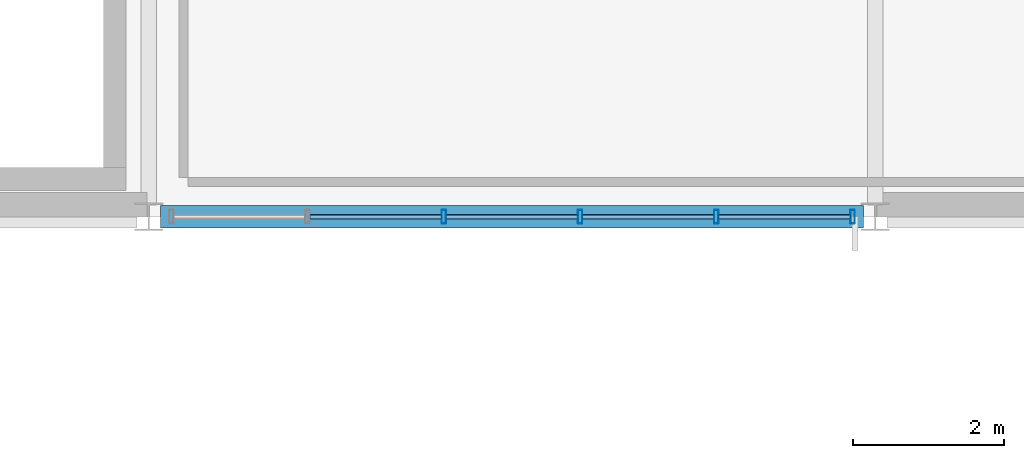
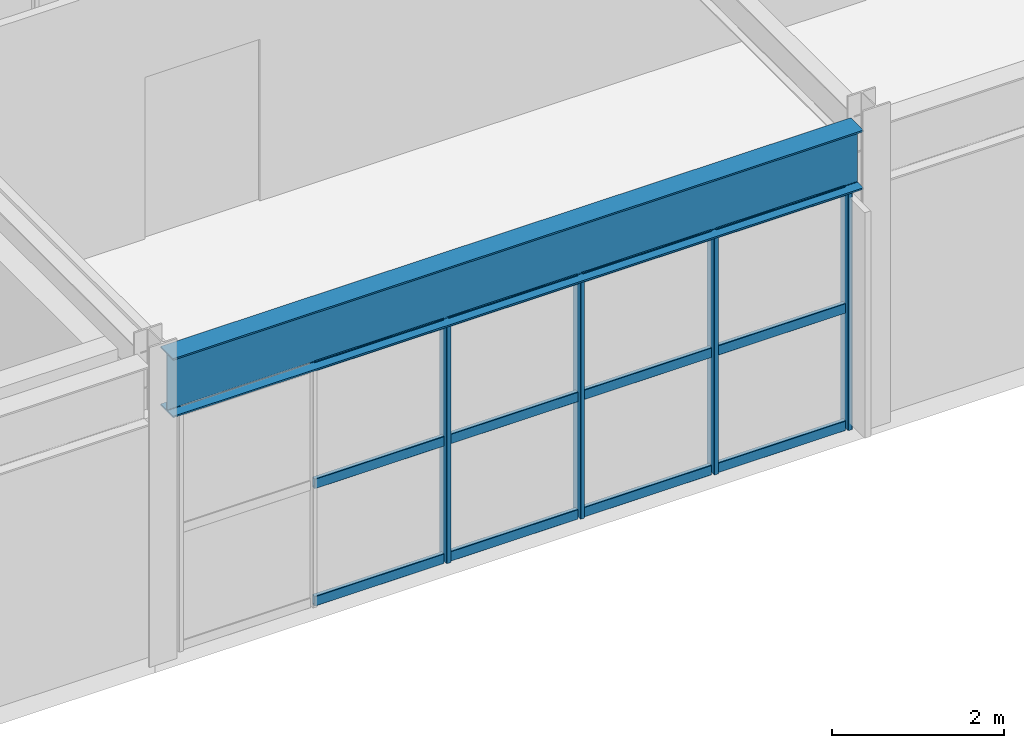
# One storey, part 74 of 170: 16 members, 1 beam, 1 element without a shape of its own.
"""IFC4 building model written with IfcOpenShell, lengths in metres."""

from ifc_helpers import new_model, si_unit, direction, frame, origin, origin_2d, place, context, subcontext, project, spatial, hollow_rectangle, i_section, extrude, material, material_profile, profile_set, type_object, element, aggregate, save


model = new_model("IFC4")

# Units and contexts
model_context = context("Model", 3, precision=1e-05, world=origin(), true_north=direction((0.0, 1.0)))
body_context = subcontext(model_context, "Body", "Model", "MODEL_VIEW")
ifc_project = project(units=[si_unit("LENGTHUNIT", "METRE"), si_unit("AREAUNIT", "SQUARE_METRE"), si_unit("VOLUMEUNIT", "CUBIC_METRE"), si_unit("PLANEANGLEUNIT", "RADIAN"), si_unit("MASSUNIT", "GRAM", prefix="KILO")], contexts=[model_context])

# Site, building, storey
site_placement = place(None, origin())
site = spatial("IfcSite", under=ifc_project, at=site_placement, CompositionType="ELEMENT")
building_placement = place(site_placement, origin())
building = spatial("IfcBuilding", under=site, at=building_placement, Name="Coralgate Yard Interchange", CompositionType="ELEMENT")
storey_placement = place(building_placement, frame((0.0, 0.0, 6.0)))
storey = spatial("IfcBuildingStorey", under=building, at=storey_placement, Name="L01", CompositionType="ELEMENT", Elevation=6.0)

# Beam
ifc_material_1 = material(Name="Structural steel S355J2", Category="steel")
ifc_material_profile_1 = material_profile(ifc_material_1, i_section(OverallWidth=0.29248046875, OverallDepth=0.8408203125, WebThickness=0.0146484375, FlangeThickness=0.021728515625, FilletRadius=0.017822265625, at=origin_2d()), Name="UB 838x292x194")
ifc_profile_set_1 = profile_set([ifc_material_profile_1], Name="Structural steel S355J2")
beam_type = type_object("IfcBeamType", Name="BM-SG-2", PredefinedType="BEAM", material=ifc_profile_set_1)
beam_placement = place(storey_placement, frame((96.15625, 38.39990234375, 3.82958984375), z_axis=(1.0, 0.0, 0.0), x_axis=(0.0, 1.0, 0.0)))
element("IfcBeam", 1, at=beam_placement, inside=storey, type_object=beam_type, Name="L01 primary grid beam Y4 X10-11", PredefinedType="BEAM", context=body_context, shape_type="SweptSolid", body=[
    extrude(i_section(OverallWidth=0.29248046875, OverallDepth=0.8408203125, WebThickness=0.0146484375, FlangeThickness=0.021728515625, FilletRadius=0.017822265625, at=origin_2d()), origin(), (0.0, 0.0, 1.0), 9.287353515625),
])

# Curtain wall, members
ifc_material_2 = material(Name="Anodised coastal aluminium and solar-control low-E glass", Category="aluminium")
curtain_wall_type = type_object("IfcCurtainWallType", Name="CW-CW-L01-A", PredefinedType="NOTDEFINED", material=ifc_material_2)
curtain_wall_placement = place(storey_placement, origin())
curtain_wall = element("IfcCurtainWall", 2, at=curtain_wall_placement, inside=storey, type_object=curtain_wall_type, Name="L01 unitised curtain wall CW-L01-S-10-04", PredefinedType="NOTDEFINED")
ifc_material_3 = material(Name="Anodised coastal aluminium 6063-T6", Category="aluminium")
ifc_material_profile_2 = material_profile(ifc_material_3, hollow_rectangle(XDim=0.06005859375, YDim=0.179931640625, WallThickness=0.00390625, InnerFilletRadius=0.00390625, OuterFilletRadius=0.008056640625, at=origin_2d()), Name="ALU 60x180x4")
ifc_profile_set_2 = profile_set([ifc_material_profile_2], Name="Anodised coastal aluminium 6063-T6")
member_type_1 = type_object("IfcMemberType", Name="MB-MUL-180", PredefinedType="MULLION", material=ifc_profile_set_2)
member_1_placement = place(storey_placement, frame((105.300048828125, 38.39990234375, 0.0), z_axis=(0.0, 0.0, 1.0), x_axis=(1.0, 0.0, 0.0)))
member_1 = element("IfcMember", 3, at=member_1_placement, type_object=member_type_1, Name="CW-L01-S-10-04 vertical mullion 1", PredefinedType="MULLION", context=body_context, shape_type="SweptSolid", body=[
    extrude(hollow_rectangle(XDim=0.06005859375, YDim=0.179931640625, WallThickness=0.00390625, InnerFilletRadius=0.00390625, OuterFilletRadius=0.008056640625, at=origin_2d()), origin(), (0.0, 0.0, 1.0), 3.4091796875),
])
member_2_placement = place(storey_placement, frame((103.5, 38.39990234375, 0.0), z_axis=(0.0, 0.0, 1.0), x_axis=(1.0, 0.0, 0.0)))
member_2 = element("IfcMember", 4, at=member_2_placement, type_object=member_type_1, Name="CW-L01-S-10-04 vertical mullion 2", PredefinedType="MULLION", context=body_context, shape_type="SweptSolid", body=[
    extrude(hollow_rectangle(XDim=0.06005859375, YDim=0.179931640625, WallThickness=0.00390625, InnerFilletRadius=0.00390625, OuterFilletRadius=0.008056640625, at=origin_2d()), origin(), (0.0, 0.0, 1.0), 3.4091796875),
])
member_3_placement = place(storey_placement, frame((101.699951171875, 38.39990234375, 0.0), z_axis=(0.0, 0.0, 1.0), x_axis=(1.0, 0.0, 0.0)))
member_3 = element("IfcMember", 5, at=member_3_placement, type_object=member_type_1, Name="CW-L01-S-10-04 vertical mullion 3", PredefinedType="MULLION", context=body_context, shape_type="SweptSolid", body=[
    extrude(hollow_rectangle(XDim=0.06005859375, YDim=0.179931640625, WallThickness=0.00390625, InnerFilletRadius=0.00390625, OuterFilletRadius=0.008056640625, at=origin_2d()), origin(), (0.0, 0.0, 1.0), 3.4091796875),
])
member_4_placement = place(storey_placement, frame((99.89990234375, 38.39990234375, 0.0), z_axis=(0.0, 0.0, 1.0), x_axis=(1.0, 0.0, 0.0)))
member_4 = element("IfcMember", 6, at=member_4_placement, type_object=member_type_1, Name="CW-L01-S-10-04 vertical mullion 4", PredefinedType="MULLION", context=body_context, shape_type="SweptSolid", body=[
    extrude(hollow_rectangle(XDim=0.06005859375, YDim=0.179931640625, WallThickness=0.00390625, InnerFilletRadius=0.00390625, OuterFilletRadius=0.008056640625, at=origin_2d()), origin(), (0.0, 0.0, 1.0), 3.4091796875),
])
ifc_material_profile_3 = material_profile(ifc_material_3, hollow_rectangle(XDim=0.06005859375, YDim=0.139892578125, WallThickness=0.00341796875, InnerFilletRadius=0.00341796875, OuterFilletRadius=0.007080078125, at=origin_2d()), Name="ALU 60x140x3.5")
ifc_profile_set_3 = profile_set([ifc_material_profile_3], Name="Anodised coastal aluminium 6063-T6")
member_type_2 = type_object("IfcMemberType", Name="MB-TRN-140", PredefinedType="USERDEFINED", material=ifc_profile_set_3)
member_5_placement = place(storey_placement, frame((105.27001953125, 38.39990234375, 0.034912109375), z_axis=(-1.0, 0.0, 0.0), x_axis=(0.0, -1.0, 0.0)))
member_5 = element("IfcMember", 7, at=member_5_placement, type_object=member_type_2, Name="CW-L01-S-10-04 horizontal transom 1-1", ObjectType="TRANSOM", PredefinedType="USERDEFINED", context=body_context, shape_type="SweptSolid", body=[
    extrude(hollow_rectangle(XDim=0.06005859375, YDim=0.139892578125, WallThickness=0.00341796875, InnerFilletRadius=0.00341796875, OuterFilletRadius=0.007080078125, at=origin_2d()), origin(), (0.0, 0.0, 1.0), 1.739990234375),
])
member_6_placement = place(storey_placement, frame((105.27001953125, 38.39990234375, 1.70458984375), z_axis=(-1.0, 0.0, 0.0), x_axis=(0.0, -1.0, 0.0)))
member_6 = element("IfcMember", 8, at=member_6_placement, type_object=member_type_2, Name="CW-L01-S-10-04 horizontal transom 1-2", ObjectType="TRANSOM", PredefinedType="USERDEFINED", context=body_context, shape_type="SweptSolid", body=[
    extrude(hollow_rectangle(XDim=0.06005859375, YDim=0.139892578125, WallThickness=0.00341796875, InnerFilletRadius=0.00341796875, OuterFilletRadius=0.007080078125, at=origin_2d()), origin(), (0.0, 0.0, 1.0), 1.739990234375),
])
member_7_placement = place(storey_placement, frame((105.27001953125, 38.39990234375, 3.374267578125), z_axis=(-1.0, 0.0, 0.0), x_axis=(0.0, -1.0, 0.0)))
member_7 = element("IfcMember", 9, at=member_7_placement, type_object=member_type_2, Name="CW-L01-S-10-04 horizontal transom 1-3", ObjectType="TRANSOM", PredefinedType="USERDEFINED", context=body_context, shape_type="SweptSolid", body=[
    extrude(hollow_rectangle(XDim=0.06005859375, YDim=0.139892578125, WallThickness=0.00341796875, InnerFilletRadius=0.00341796875, OuterFilletRadius=0.007080078125, at=origin_2d()), origin(), (0.0, 0.0, 1.0), 1.739990234375),
])
member_8_placement = place(storey_placement, frame((103.469970703125, 38.39990234375, 0.034912109375), z_axis=(-1.0, 0.0, 0.0), x_axis=(0.0, -1.0, 0.0)))
member_8 = element("IfcMember", 10, at=member_8_placement, type_object=member_type_2, Name="CW-L01-S-10-04 horizontal transom 2-1", ObjectType="TRANSOM", PredefinedType="USERDEFINED", context=body_context, shape_type="SweptSolid", body=[
    extrude(hollow_rectangle(XDim=0.06005859375, YDim=0.139892578125, WallThickness=0.00341796875, InnerFilletRadius=0.00341796875, OuterFilletRadius=0.007080078125, at=origin_2d()), origin(), (0.0, 0.0, 1.0), 1.739990234375),
])
member_9_placement = place(storey_placement, frame((103.469970703125, 38.39990234375, 1.70458984375), z_axis=(-1.0, 0.0, 0.0), x_axis=(0.0, -1.0, 0.0)))
member_9 = element("IfcMember", 11, at=member_9_placement, type_object=member_type_2, Name="CW-L01-S-10-04 horizontal transom 2-2", ObjectType="TRANSOM", PredefinedType="USERDEFINED", context=body_context, shape_type="SweptSolid", body=[
    extrude(hollow_rectangle(XDim=0.06005859375, YDim=0.139892578125, WallThickness=0.00341796875, InnerFilletRadius=0.00341796875, OuterFilletRadius=0.007080078125, at=origin_2d()), origin(), (0.0, 0.0, 1.0), 1.739990234375),
])
member_10_placement = place(storey_placement, frame((103.469970703125, 38.39990234375, 3.374267578125), z_axis=(-1.0, 0.0, 0.0), x_axis=(0.0, -1.0, 0.0)))
member_10 = element("IfcMember", 12, at=member_10_placement, type_object=member_type_2, Name="CW-L01-S-10-04 horizontal transom 2-3", ObjectType="TRANSOM", PredefinedType="USERDEFINED", context=body_context, shape_type="SweptSolid", body=[
    extrude(hollow_rectangle(XDim=0.06005859375, YDim=0.139892578125, WallThickness=0.00341796875, InnerFilletRadius=0.00341796875, OuterFilletRadius=0.007080078125, at=origin_2d()), origin(), (0.0, 0.0, 1.0), 1.739990234375),
])
member_11_placement = place(storey_placement, frame((101.669921875, 38.39990234375, 0.034912109375), z_axis=(-1.0, 0.0, 0.0), x_axis=(0.0, -1.0, 0.0)))
member_11 = element("IfcMember", 13, at=member_11_placement, type_object=member_type_2, Name="CW-L01-S-10-04 horizontal transom 3-1", ObjectType="TRANSOM", PredefinedType="USERDEFINED", context=body_context, shape_type="SweptSolid", body=[
    extrude(hollow_rectangle(XDim=0.06005859375, YDim=0.139892578125, WallThickness=0.00341796875, InnerFilletRadius=0.00341796875, OuterFilletRadius=0.007080078125, at=origin_2d()), origin(), (0.0, 0.0, 1.0), 1.739990234375),
])
member_12_placement = place(storey_placement, frame((101.669921875, 38.39990234375, 1.70458984375), z_axis=(-1.0, 0.0, 0.0), x_axis=(0.0, -1.0, 0.0)))
member_12 = element("IfcMember", 14, at=member_12_placement, type_object=member_type_2, Name="CW-L01-S-10-04 horizontal transom 3-2", ObjectType="TRANSOM", PredefinedType="USERDEFINED", context=body_context, shape_type="SweptSolid", body=[
    extrude(hollow_rectangle(XDim=0.06005859375, YDim=0.139892578125, WallThickness=0.00341796875, InnerFilletRadius=0.00341796875, OuterFilletRadius=0.007080078125, at=origin_2d()), origin(), (0.0, 0.0, 1.0), 1.739990234375),
])
member_13_placement = place(storey_placement, frame((101.669921875, 38.39990234375, 3.374267578125), z_axis=(-1.0, 0.0, 0.0), x_axis=(0.0, -1.0, 0.0)))
member_13 = element("IfcMember", 15, at=member_13_placement, type_object=member_type_2, Name="CW-L01-S-10-04 horizontal transom 3-3", ObjectType="TRANSOM", PredefinedType="USERDEFINED", context=body_context, shape_type="SweptSolid", body=[
    extrude(hollow_rectangle(XDim=0.06005859375, YDim=0.139892578125, WallThickness=0.00341796875, InnerFilletRadius=0.00341796875, OuterFilletRadius=0.007080078125, at=origin_2d()), origin(), (0.0, 0.0, 1.0), 1.739990234375),
])
member_14_placement = place(storey_placement, frame((99.8701171875, 38.39990234375, 0.034912109375), z_axis=(-1.0, 0.0, 0.0), x_axis=(0.0, -1.0, 0.0)))
member_14 = element("IfcMember", 16, at=member_14_placement, type_object=member_type_2, Name="CW-L01-S-10-04 horizontal transom 4-1", ObjectType="TRANSOM", PredefinedType="USERDEFINED", context=body_context, shape_type="SweptSolid", body=[
    extrude(hollow_rectangle(XDim=0.06005859375, YDim=0.139892578125, WallThickness=0.00341796875, InnerFilletRadius=0.00341796875, OuterFilletRadius=0.007080078125, at=origin_2d()), origin(), (0.0, 0.0, 1.0), 1.740234375),
])
member_15_placement = place(storey_placement, frame((99.8701171875, 38.39990234375, 1.70458984375), z_axis=(-1.0, 0.0, 0.0), x_axis=(0.0, -1.0, 0.0)))
member_15 = element("IfcMember", 17, at=member_15_placement, type_object=member_type_2, Name="CW-L01-S-10-04 horizontal transom 4-2", ObjectType="TRANSOM", PredefinedType="USERDEFINED", context=body_context, shape_type="SweptSolid", body=[
    extrude(hollow_rectangle(XDim=0.06005859375, YDim=0.139892578125, WallThickness=0.00341796875, InnerFilletRadius=0.00341796875, OuterFilletRadius=0.007080078125, at=origin_2d()), origin(), (0.0, 0.0, 1.0), 1.740234375),
])
member_16_placement = place(storey_placement, frame((99.8701171875, 38.39990234375, 3.374267578125), z_axis=(-1.0, 0.0, 0.0), x_axis=(0.0, -1.0, 0.0)))
member_16 = element("IfcMember", 18, at=member_16_placement, type_object=member_type_2, Name="CW-L01-S-10-04 horizontal transom 4-3", ObjectType="TRANSOM", PredefinedType="USERDEFINED", context=body_context, shape_type="SweptSolid", body=[
    extrude(hollow_rectangle(XDim=0.06005859375, YDim=0.139892578125, WallThickness=0.00341796875, InnerFilletRadius=0.00341796875, OuterFilletRadius=0.007080078125, at=origin_2d()), origin(), (0.0, 0.0, 1.0), 1.740234375),
])
aggregate(curtain_wall, [member_1, member_2, member_3, member_4, member_5, member_6, member_7, member_8, member_9, member_10, member_11, member_12, member_13, member_14, member_15, member_16])

save(model, "model.ifc")
